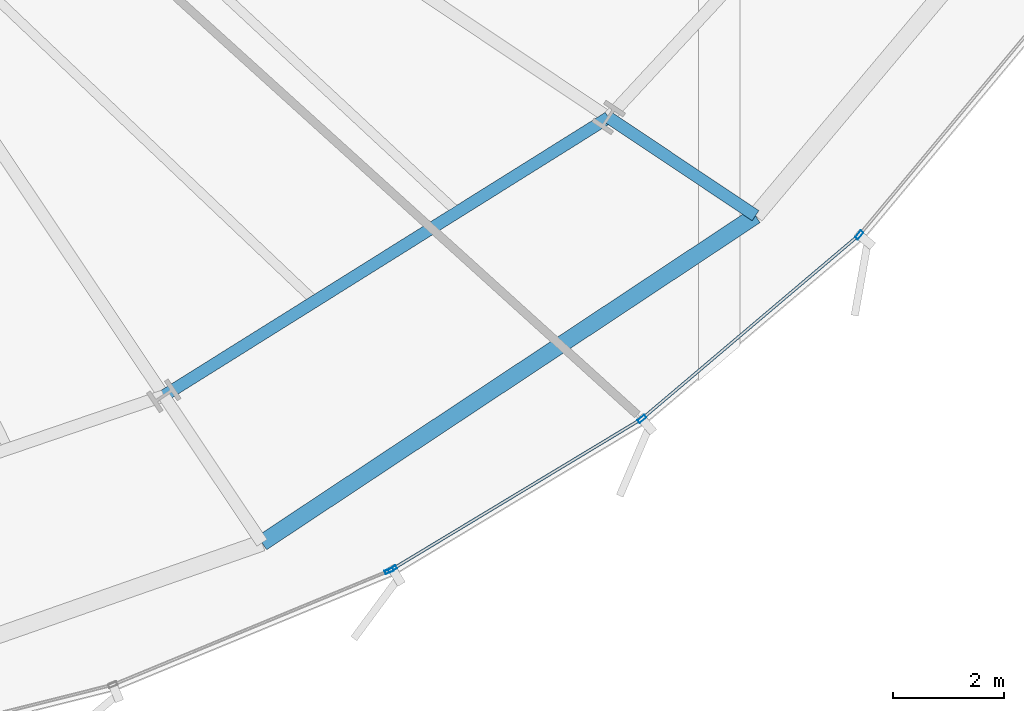
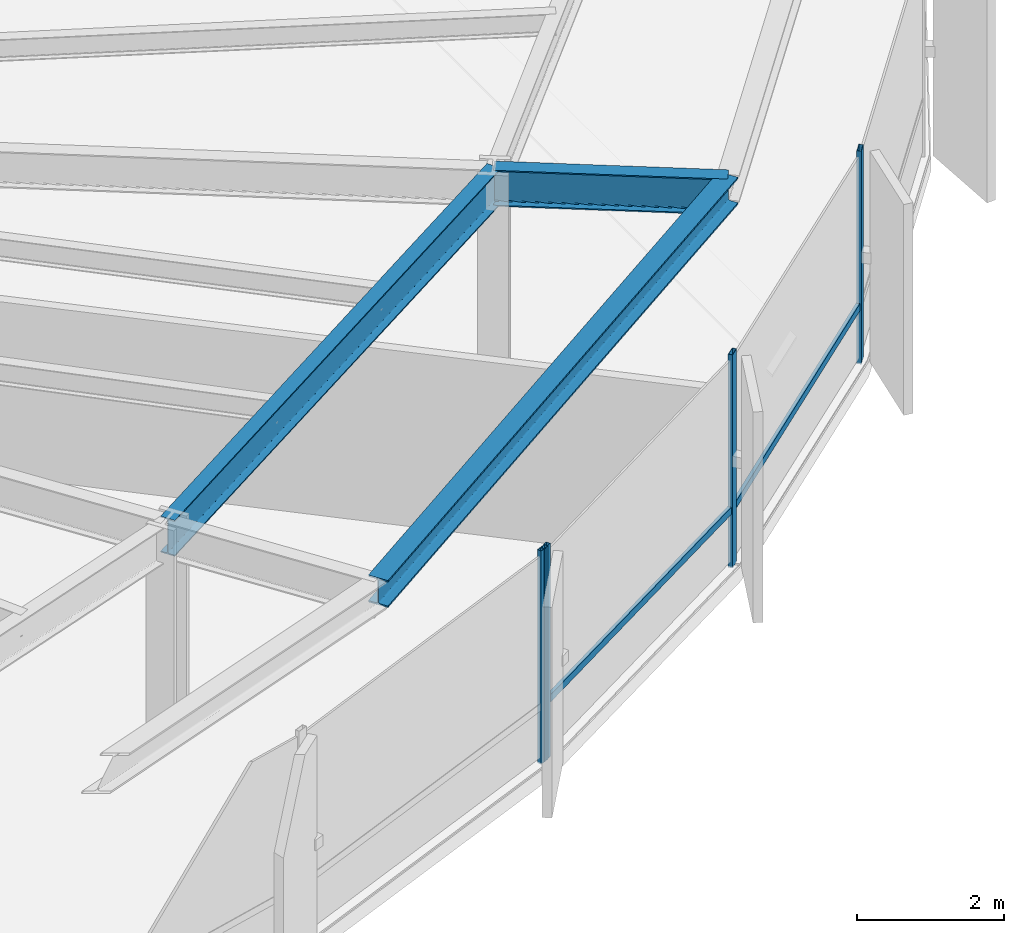
# One storey, part 14 of 42: 6 members, 3 beams, 2 elements without a shape of their own.
"""IFC4 building model written with IfcOpenShell, lengths in metres."""

from ifc_helpers import new_model, si_unit, direction, frame, origin, origin_2d, place, context, subcontext, project, spatial, hollow_rectangle, i_section, extrude, source, transform, mapped, material, layer, layer_set, material_profile, profile_set, type_object, element, aggregate, save


model = new_model("IFC4")

# Units and contexts
model_context = context("Model", 3, precision=1e-05, world=origin(), true_north=direction((0.0, 1.0)))
body_context = subcontext(model_context, "Body", "Model", "MODEL_VIEW")
ifc_project = project(units=[si_unit("LENGTHUNIT", "METRE"), si_unit("AREAUNIT", "SQUARE_METRE"), si_unit("VOLUMEUNIT", "CUBIC_METRE"), si_unit("PLANEANGLEUNIT", "RADIAN"), si_unit("MASSUNIT", "GRAM", prefix="KILO"), si_unit("THERMODYNAMICTEMPERATUREUNIT", "KELVIN")], contexts=[model_context])

# Site, building, storey
site_placement = place(None, origin())
site = spatial("IfcSite", under=ifc_project, at=site_placement, CompositionType="ELEMENT")
building_placement = place(site_placement, origin())
building = spatial("IfcBuilding", under=site, at=building_placement, Name="Kethvar Cultural Tower", CompositionType="ELEMENT")
storey_placement = place(building_placement, frame((0.0, 0.0, 37.199951171875)))
storey = spatial("IfcBuildingStorey", under=building, at=storey_placement, Name="L08", CompositionType="ELEMENT", Elevation=37.199951171875)

# Beams
ifc_material_1 = material(Name="Steel S355J2", Category="steel")
ifc_material_profile_1 = material_profile(ifc_material_1, i_section(OverallWidth=0.219970703125, OverallDepth=0.60009765625, WebThickness=0.011962890625, FlangeThickness=0.01904296875, FilletRadius=0.02392578125, at=origin_2d()), Name="Steel S355J2 — IPE600")
ifc_profile_set_1 = profile_set([ifc_material_profile_1], Name="Steel S355J2 — IPE600")
beam_type_1 = type_object("IfcBeamType", Name="BM-IPE600", PredefinedType="BEAM", material=ifc_profile_set_1)
shared_shape_1 = source(origin(), body_context, "Body", "SweptSolid", [
    extrude(i_section(OverallWidth=0.219970703125, OverallDepth=0.60009765625, WebThickness=0.011962890625, FlangeThickness=0.01904296875, FilletRadius=0.02392578125, at=origin_2d()), origin(), (0.0, 0.0, 1.0), 3.19970703125),
])
beam_1_placement = place(storey_placement, frame((67.41845703125, 14.023193359375, 3.248046875), z_axis=(0.831498187863, -0.55552746429, 0.0), x_axis=(0.55552746429, 0.831498187863, 0.0)))
element("IfcBeam", 1, at=beam_1_placement, inside=storey, type_object=beam_type_1, Name="L08 Perimeter Cantilever Beam RC-15", PredefinedType="BEAM", context=body_context, shape_type="MappedRepresentation", body=[
    mapped(shared_shape_1, transform((0.0, 0.0, 0.0), scale=1.0)),
])
shared_shape_2 = source(origin(), body_context, "Body", "SweptSolid", [
    extrude(i_section(OverallWidth=0.219970703125, OverallDepth=0.60009765625, WebThickness=0.011962890625, FlangeThickness=0.01904296875, FilletRadius=0.02392578125, at=origin_2d()), origin(), (0.0, 0.0, 1.0), 9.493896484375),
])
beam_2_placement = place(storey_placement, frame((59.370361328125, 8.987060546875, 3.248046875), z_axis=(0.847710685997, 0.530458851228, 0.0), x_axis=(-0.530458851228, 0.847710685997, 0.0)))
element("IfcBeam", 2, at=beam_2_placement, inside=storey, type_object=beam_type_1, Name="L08 Column Ring Tie Beam CR-14", PredefinedType="BEAM", context=body_context, shape_type="MappedRepresentation", body=[
    mapped(shared_shape_2, transform((0.0, 0.0, 0.0), scale=1.0)),
])
ifc_material_profile_2 = material_profile(ifc_material_1, i_section(OverallWidth=0.300048828125, OverallDepth=0.449951171875, WebThickness=0.013916015625, FlangeThickness=0.02587890625, FilletRadius=0.027099609375, at=origin_2d()), Name="Steel S355J2 — HEB450")
ifc_profile_set_2 = profile_set([ifc_material_profile_2], Name="Steel S355J2 — HEB450")
beam_type_2 = type_object("IfcBeamType", Name="BM-SP450", PredefinedType="SPANDREL", material=ifc_profile_set_2)
shared_shape_3 = source(origin(), body_context, "Body", "SweptSolid", [
    extrude(i_section(OverallWidth=0.300048828125, OverallDepth=0.449951171875, WebThickness=0.013916015625, FlangeThickness=0.02587890625, FilletRadius=0.027099609375, at=origin_2d()), origin(), (0.0, 0.0, 1.0), 10.71435546875),
])
beam_3_placement = place(storey_placement, frame((61.148193359375, 6.326416015625, 3.322998046875), z_axis=(0.833544146731, 0.552452853599, 0.0), x_axis=(-0.552452853599, 0.833544146731, 0.0)))
element("IfcBeam", 3, at=beam_3_placement, inside=storey, type_object=beam_type_2, Name="L08 Perimeter Spandrel Beam SP-14", PredefinedType="SPANDREL", context=body_context, shape_type="MappedRepresentation", body=[
    mapped(shared_shape_3, transform((0.0, 0.0, 0.0), scale=1.0)),
])

# Curtain wall, member
ifc_material_2 = material(Name="Aluminium 6063-T6", Category="aluminium")
ifc_layer = layer(ifc_material_2, 0.179931640625, Name="Aluminium 6063-T6", Category="aluminium")
ifc_layer_set = layer_set([ifc_layer], Name="Aluminium 6063-T6 (180 mm)")
curtain_wall_type = type_object("IfcCurtainWallType", Name="CW-SYS-02-Z1", PredefinedType="NOTDEFINED", material=ifc_layer_set)
curtain_wall_1_placement = place(storey_placement, origin())
curtain_wall_1 = element("IfcCurtainWall", 4, at=curtain_wall_1_placement, inside=storey, type_object=curtain_wall_type, Name="L08 Curtain Wall Run 05", PredefinedType="NOTDEFINED")
ifc_material_profile_3 = material_profile(ifc_material_2, hollow_rectangle(XDim=0.06494140625, YDim=0.159912109375, WallThickness=0.0048828125, at=origin_2d()), Name="Aluminium 6063-T6 — RHS160x65x5")
ifc_profile_set_3 = profile_set([ifc_material_profile_3], Name="Aluminium 6063-T6 — RHS160x65x5")
member_type_1 = type_object("IfcMemberType", Name="CW-SYS-02-Z1-MUL", PredefinedType="MULLION", material=ifc_profile_set_3)
shared_shape_4 = source(origin(), body_context, "Body", "SweptSolid", [
    extrude(hollow_rectangle(XDim=0.06494140625, YDim=0.159912109375, WallThickness=0.0048828125, at=origin_2d()), origin(), (0.0, 0.0, 1.0), 3.550048828125),
])
member_1_placement = place(storey_placement, frame((63.448974609375, 5.8212890625, 0.0), z_axis=(0.0, 0.0, 1.0), x_axis=(-0.381635078249, 0.92431307848, 0.0)))
member_1 = element("IfcMember", 5, at=member_1_placement, type_object=member_type_1, Name="CW-L08-R05 Mullion 7", PredefinedType="MULLION", context=body_context, shape_type="MappedRepresentation", body=[
    mapped(shared_shape_4, transform((0.0, 0.0, 0.0), scale=1.0)),
])
aggregate(curtain_wall_1, [member_1])

# Curtain wall, members
curtain_wall_2_placement = place(storey_placement, origin())
curtain_wall_2 = element("IfcCurtainWall", 6, at=curtain_wall_2_placement, inside=storey, type_object=curtain_wall_type, Name="L08 Curtain Wall Run 06", PredefinedType="NOTDEFINED")
member_2_placement = place(storey_placement, frame((63.5078125, 5.851318359375, 0.0), z_axis=(0.0, 0.0, 1.0), x_axis=(-0.516219455901, 0.856456346435, 0.0)))
member_2 = element("IfcMember", 7, at=member_2_placement, type_object=member_type_1, Name="CW-L08-R06 Mullion 1", PredefinedType="MULLION", context=body_context, shape_type="MappedRepresentation", body=[
    mapped(shared_shape_4, transform((0.0, 0.0, 0.0), scale=1.0)),
])
member_3_placement = place(storey_placement, frame((68.023193359375, 8.57080078125, 0.0), z_axis=(0.0, 0.0, 1.0), x_axis=(-0.64609733741, 0.763255023299, 0.0)))
member_3 = element("IfcMember", 8, at=member_3_placement, type_object=member_type_1, Name="CW-L08-R06 Mullion 2", PredefinedType="MULLION", context=body_context, shape_type="MappedRepresentation", body=[
    mapped(shared_shape_4, transform((0.0, 0.0, 0.0), scale=1.0)),
])
member_4_placement = place(storey_placement, frame((71.95458984375, 11.896484375, 0.0), z_axis=(0.0, 0.0, 1.0), x_axis=(-0.767937078481, 0.640525287162, 0.0)))
member_4 = element("IfcMember", 9, at=member_4_placement, type_object=member_type_1, Name="CW-L08-R06 Mullion 3", PredefinedType="MULLION", context=body_context, shape_type="MappedRepresentation", body=[
    mapped(shared_shape_4, transform((0.0, 0.0, 0.0), scale=1.0)),
])
ifc_material_profile_4 = material_profile(ifc_material_2, hollow_rectangle(XDim=0.054931640625, YDim=0.1201171875, WallThickness=0.00390625, at=origin_2d()), Name="Aluminium 6063-T6 — RHS120x55x4")
ifc_profile_set_4 = profile_set([ifc_material_profile_4], Name="Aluminium 6063-T6 — RHS120x55x4")
member_type_2 = type_object("IfcMemberType", Name="CW-SYS-02-Z1-TRN", PredefinedType="USERDEFINED", material=ifc_profile_set_4)
shared_shape_5 = source(origin(), body_context, "Body", "SweptSolid", [
    extrude(hollow_rectangle(XDim=0.054931640625, YDim=0.1201171875, WallThickness=0.00390625, at=origin_2d()), origin(), (0.0, 0.0, 1.0), 5.07666015625),
])
member_5_placement = place(storey_placement, frame((68.058837890625, 8.60107421875, 0.949951171875), z_axis=(0.763251282411, 0.646101756612, 0.0), x_axis=(-0.646101756612, 0.763251282411, 0.0)))
member_5 = element("IfcMember", 10, at=member_5_placement, type_object=member_type_2, Name="CW-L08-R06 Transom 2", ObjectType="TRANSOM", PredefinedType="USERDEFINED", context=body_context, shape_type="MappedRepresentation", body=[
    mapped(shared_shape_5, transform((0.0, 0.0, 0.0), scale=1.0)),
])
shared_shape_6 = source(origin(), body_context, "Body", "SweptSolid", [
    extrude(hollow_rectangle(XDim=0.054931640625, YDim=0.1201171875, WallThickness=0.00390625, at=origin_2d()), origin(), (0.0, 0.0, 1.0), 5.23876953125),
])
member_6_placement = place(storey_placement, frame((63.51171875, 5.853515625, 0.949951171875), z_axis=(0.856459094007, 0.516214897395, 0.0), x_axis=(-0.516214897395, 0.856459094007, 0.0)))
member_6 = element("IfcMember", 11, at=member_6_placement, type_object=member_type_2, Name="CW-L08-R06 Transom 1", ObjectType="TRANSOM", PredefinedType="USERDEFINED", context=body_context, shape_type="MappedRepresentation", body=[
    mapped(shared_shape_6, transform((0.0, 0.0, 0.0), scale=1.0)),
])
aggregate(curtain_wall_2, [member_2, member_3, member_4, member_6, member_5])

save(model, "model.ifc")
